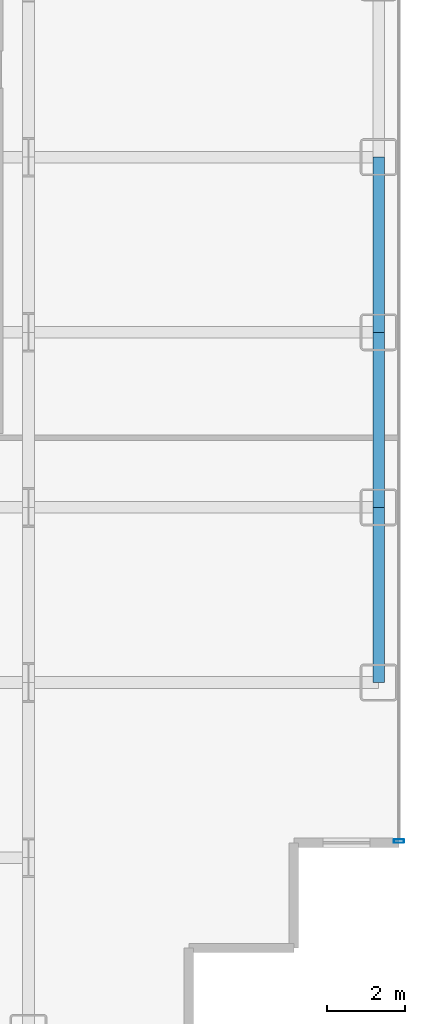
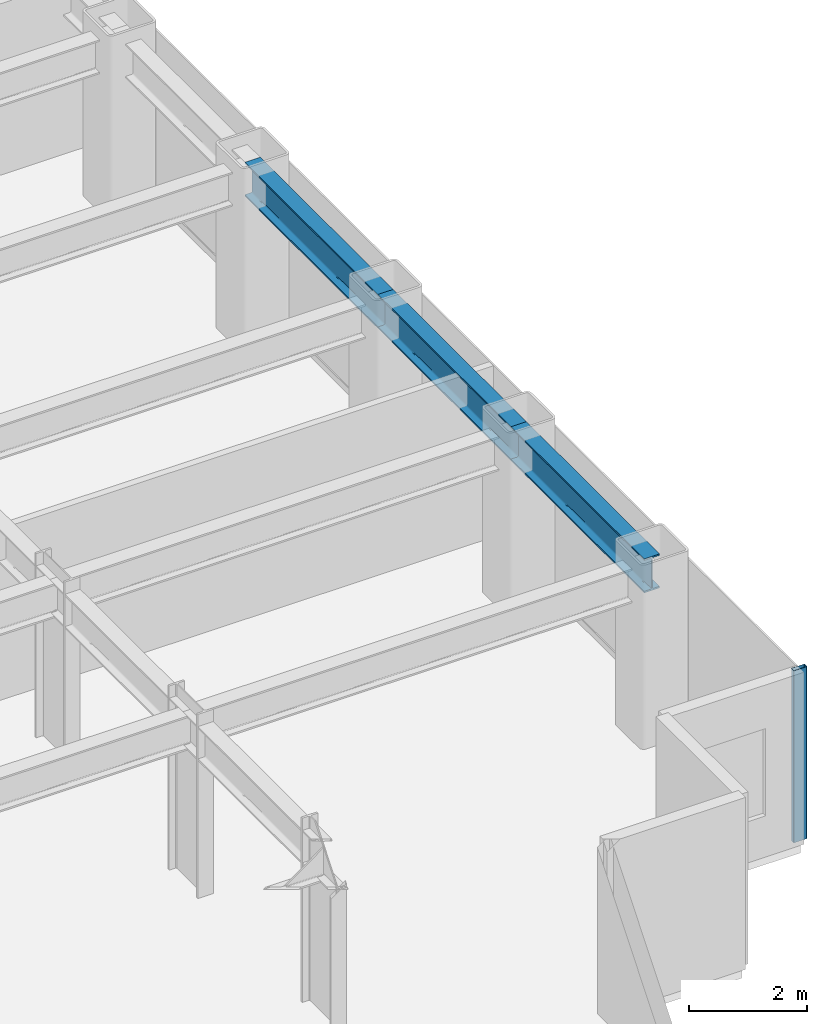
# One storey, part 16 of 25: 3 beams, 1 member, 1 element without a shape of its own.
"""IFC4 building model written with IfcOpenShell, lengths in metres."""

from ifc_helpers import new_model, si_unit, direction, frame, origin, origin_2d, place, context, subcontext, project, spatial, hollow_rectangle, i_section, extrude, source, transform, mapped, material, layer, layer_set, material_profile, profile_set, type_object, element, aggregate, save


model = new_model("IFC4")

# Units and contexts
model_context = context("Model", 3, precision=1e-05, world=origin(), true_north=direction((0.0, 1.0)))
body_context = subcontext(model_context, "Body", "Model", "MODEL_VIEW")
ifc_project = project(units=[si_unit("LENGTHUNIT", "METRE"), si_unit("AREAUNIT", "SQUARE_METRE"), si_unit("VOLUMEUNIT", "CUBIC_METRE"), si_unit("PLANEANGLEUNIT", "RADIAN"), si_unit("MASSUNIT", "GRAM", prefix="KILO")], contexts=[model_context])

# Site, building, storey
site_placement = place(None, origin())
site = spatial("IfcSite", under=ifc_project, at=site_placement, CompositionType="ELEMENT")
building_placement = place(site_placement, origin())
building = spatial("IfcBuilding", under=site, at=building_placement, Name="Nefas-Gora Pilgrimage Tower", CompositionType="ELEMENT")
storey_placement = place(building_placement, frame((0.0, 0.0, 52.0)))
storey = spatial("IfcBuildingStorey", under=building, at=storey_placement, Name="L11", CompositionType="ELEMENT", Elevation=52.0)

# Beams
ifc_material_1 = material(Name="Steel S355", Category="steel")
ifc_material_profile_1 = material_profile(ifc_material_1, i_section(OverallWidth=0.300048828125, OverallDepth=0.699951171875, WebThickness=0.01708984375, FlangeThickness=0.031982421875, FilletRadius=0.027099609375, at=origin_2d()), Name="HEB 700")
ifc_profile_set_1 = profile_set([ifc_material_profile_1], Name="Steel S355")
beam_type = type_object("IfcBeamType", Name="BM-SPN-HEB600", PredefinedType="SPANDREL", material=ifc_profile_set_1)
shared_shape_1 = source(origin(), body_context, "Body", "SweptSolid", [
    extrude(i_section(OverallWidth=0.300048828125, OverallDepth=0.699951171875, WebThickness=0.01708984375, FlangeThickness=0.031982421875, FilletRadius=0.027099609375, at=origin_2d()), origin(), (0.0, 0.0, 1.0), 4.5),
])
for number, where, z_axis, x_axis, name in (
    (1, (33.75, -13.5, 3.199951171875), (0.0, 1.0, 0.0), (-1.0, 0.0, 0.0), "L11 SP-01 beam"),
    (2, (33.75, -9.0, 3.199951171875), (0.0, 1.0, 0.0), (-1.0, 0.0, 0.0), "L11 SP-01 beam"),
    (3, (33.75, -4.5, 3.199951171875), (0.0, 1.0, 0.0), (-1.0, 0.0, 0.0), "L11 SP-01 beam"),
):
    element("IfcBeam", number, at=place(storey_placement, frame(where, z_axis=z_axis, x_axis=x_axis)), inside=storey, type_object=beam_type, Name=name, PredefinedType="SPANDREL", context=body_context, shape_type="MappedRepresentation", body=[
        mapped(shared_shape_1, transform((0.0, 0.0, 0.0), x_axis=(1.0, 0.0, 0.0), y_axis=(0.0, 1.0, 0.0), z_axis=(0.0, 0.0, 1.0), scale=1.0)),
    ])

# Curtain wall, member
ifc_material_2 = material(Name="Dark ceramic-fritted solar-control aluminium-glass curtain wall", Category="aluminium")
ifc_layer = layer(ifc_material_2, 0.219970703125)
ifc_layer_set = layer_set([ifc_layer], Name="Dark ceramic-fritted solar-control aluminium-glass curtain wall")
curtain_wall_type = type_object("IfcCurtainWallType", Name="CW-SYS-2", PredefinedType="NOTDEFINED", material=ifc_layer_set)
curtain_wall_placement = place(storey_placement, origin())
curtain_wall = element("IfcCurtainWall", 4, at=curtain_wall_placement, inside=storey, type_object=curtain_wall_type, Name="L11 Unitised Curtain Wall CW2", PredefinedType="NOTDEFINED")
ifc_material_3 = material(Name="Anodised architectural aluminium", Category="aluminium")
ifc_material_profile_2 = material_profile(ifc_material_3, hollow_rectangle(XDim=0.090087890625, YDim=0.260009765625, WallThickness=0.006103515625, InnerFilletRadius=0.006103515625, OuterFilletRadius=0.011962890625, at=origin_2d()), Name="ALU MULLION 90x260")
ifc_profile_set_2 = profile_set([ifc_material_profile_2], Name="Anodised architectural aluminium")
member_type = type_object("IfcMemberType", Name="CWM-MUL-2", PredefinedType="MULLION", material=ifc_profile_set_2)
shared_shape_2 = source(origin(), body_context, "Body", "SweptSolid", [
    extrude(hollow_rectangle(XDim=0.090087890625, YDim=0.260009765625, WallThickness=0.006103515625, InnerFilletRadius=0.006103515625, OuterFilletRadius=0.011962890625, at=origin_2d()), origin(), (0.0, 0.0, 1.0), 3.550048828125),
])
member_placement = place(storey_placement, frame((34.27001953125, -17.574951171875, 0.0), z_axis=(0.0, 0.0, 1.0), x_axis=(0.0, 1.0, 0.0)))
member = element("IfcMember", 5, at=member_placement, type_object=member_type, Name="CW2 Mullion 1", PredefinedType="MULLION", context=body_context, shape_type="MappedRepresentation", body=[
    mapped(shared_shape_2, transform((0.0, 0.0, 0.0), x_axis=(1.0, 0.0, 0.0), y_axis=(0.0, 1.0, 0.0), z_axis=(0.0, 0.0, 1.0), scale=1.0)),
])
aggregate(curtain_wall, [member])

save(model, "model.ifc")
